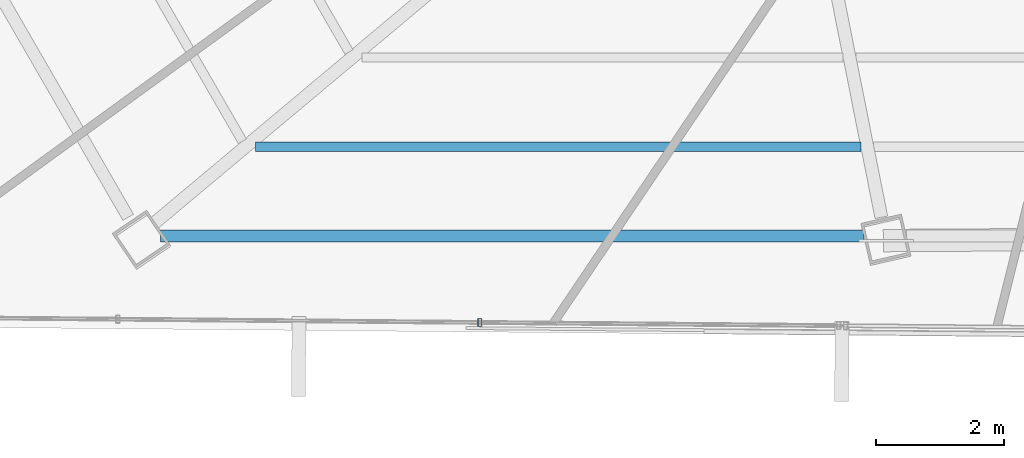
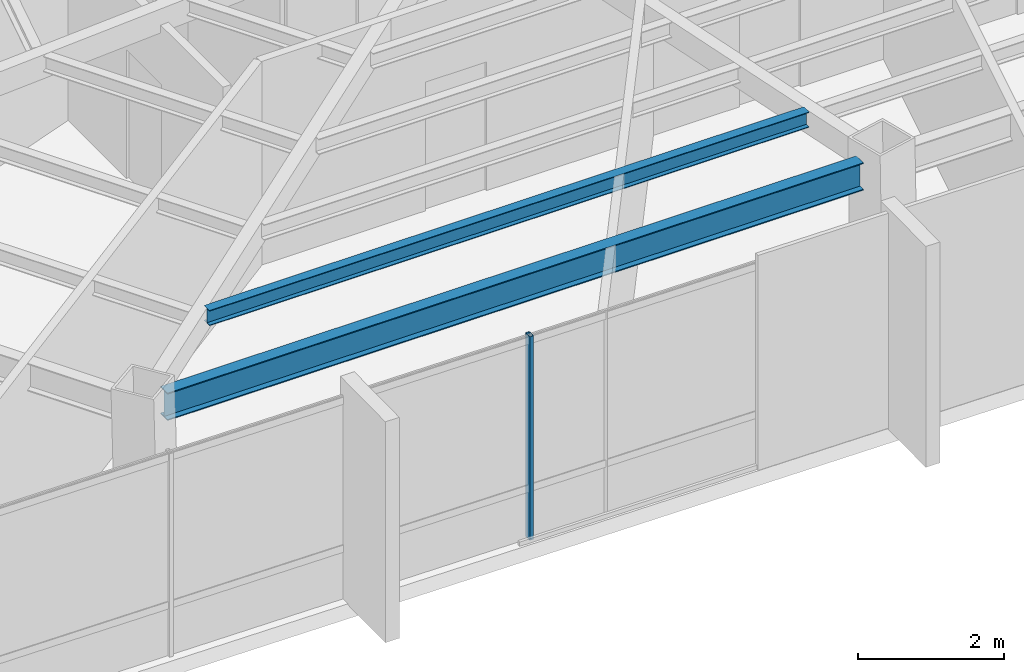
# One storey, part 5 of 46: 2 beams, 1 member, 1 element without a shape of its own.
"""IFC4 building model written with IfcOpenShell, lengths in metres."""

from ifc_helpers import new_model, si_unit, direction, frame, origin, origin_2d, place, context, subcontext, project, spatial, hollow_rectangle, i_section, extrude, source, transform, mapped, material, material_profile, profile_set, type_object, type_shapes, element, aggregate, save


model = new_model("IFC4")

# Units and contexts
model_context = context("Model", 3, precision=1e-05, world=origin(), true_north=direction((0.0, 1.0)))
body_context = subcontext(model_context, "Body", "Model", "MODEL_VIEW")
ifc_project = project(units=[si_unit("LENGTHUNIT", "METRE"), si_unit("AREAUNIT", "SQUARE_METRE"), si_unit("VOLUMEUNIT", "CUBIC_METRE"), si_unit("PLANEANGLEUNIT", "RADIAN"), si_unit("MASSUNIT", "GRAM", prefix="KILO")], contexts=[model_context])

# Site, building, storey
site_placement = place(None, origin())
site = spatial("IfcSite", under=ifc_project, at=site_placement, CompositionType="ELEMENT")
building_placement = place(site_placement, origin())
building = spatial("IfcBuilding", under=site, at=building_placement, Name="Caelisora Broadcast Tower", CompositionType="ELEMENT")
storey_placement = place(building_placement, frame((0.0, 0.0, 237.14990234375)))
storey = spatial("IfcBuildingStorey", under=building, at=storey_placement, Name="L62", CompositionType="ELEMENT", Elevation=237.14990234375)

# Beams
ifc_material_1 = material(Name="Steel Grade 350 (AS/NZS 3679.1)", Category="steel")
ifc_material_profile_1 = material_profile(ifc_material_1, i_section(OverallWidth=0.19091796875, OverallDepth=0.46044921875, WebThickness=0.010009765625, FlangeThickness=0.01611328125, at=origin_2d()), Name="Steel Grade 350 (AS/NZS 3679.1)")
ifc_profile_set_1 = profile_set([ifc_material_profile_1], Name="Steel Grade 350 (AS/NZS 3679.1)")
beam_type_1 = type_object("IfcBeamType", Name="PG06", PredefinedType="BEAM", material=ifc_profile_set_1)
shared_shape_1 = source(origin(), body_context, "Body", "SweptSolid", [
    extrude(i_section(OverallWidth=0.19091796875, OverallDepth=0.46044921875, WebThickness=0.010009765625, FlangeThickness=0.01611328125, at=origin_2d()), origin(), (0.0, 0.0, 1.0), 10.9931640625),
])
type_shapes(beam_type_1, [shared_shape_1])
beam_1_placement = place(storey_placement, frame((20.834228515625, 9.02294921875, 3.169921875), z_axis=(1.0, 0.0, 0.0), x_axis=(0.0, 1.0, 0.0)))
element("IfcBeam", 1, at=beam_1_placement, inside=storey, type_object=beam_type_1, Name="L62 beam PG06", PredefinedType="BEAM", context=body_context, shape_type="MappedRepresentation", body=[
    mapped(shared_shape_1, transform((0.0, 0.0, 0.0), scale=1.0)),
])
ifc_material_profile_2 = material_profile(ifc_material_1, i_section(OverallWidth=0.14599609375, OverallDepth=0.256103515625, WebThickness=0.00634765625, FlangeThickness=0.010986328125, at=origin_2d()), Name="Steel Grade 350 (AS/NZS 3679.1)")
ifc_profile_set_2 = profile_set([ifc_material_profile_2], Name="Steel Grade 350 (AS/NZS 3679.1)")
beam_type_2 = type_object("IfcBeamType", Name="SB04", PredefinedType="JOIST", material=ifc_profile_set_2)
shared_shape_2 = source(origin(), body_context, "Body", "SweptSolid", [
    extrude(i_section(OverallWidth=0.14599609375, OverallDepth=0.256103515625, WebThickness=0.00634765625, FlangeThickness=0.010986328125, at=origin_2d()), origin(), (0.0, 0.0, 1.0), 9.472412109375),
])
type_shapes(beam_type_2, [shared_shape_2])
beam_2_placement = place(storey_placement, frame((22.31640625, 10.419189453125, 3.27197265625), z_axis=(1.0, 0.0, 0.0), x_axis=(0.0, 1.0, 0.0)))
element("IfcBeam", 2, at=beam_2_placement, inside=storey, type_object=beam_type_2, Name="L62 beam SB04", PredefinedType="JOIST", context=body_context, shape_type="MappedRepresentation", body=[
    mapped(shared_shape_2, transform((0.0, 0.0, 0.0), scale=1.0)),
])

# Curtain wall, member
ifc_material_2 = material(Name="Unitised Aluminium and Low-E Glass Curtain Wall", Category="glass")
curtain_wall_type = type_object("IfcCurtainWallType", Name="CW-Z5", PredefinedType="NOTDEFINED", material=ifc_material_2)
curtain_wall_placement = place(storey_placement, origin())
curtain_wall = element("IfcCurtainWall", 3, at=curtain_wall_placement, inside=storey, type_object=curtain_wall_type, Name="L62 curtain wall CW-Z5", PredefinedType="NOTDEFINED")
ifc_material_3 = material(Name="Aluminium 6063-T6 Anodised Terracotta Bronze", Category="aluminium")
ifc_material_profile_3 = material_profile(ifc_material_3, hollow_rectangle(XDim=0.06005859375, YDim=0.1201171875, WallThickness=0.0029296875, at=origin_2d()), Name="Aluminium 6063-T6 Anodised Terracotta Bronze")
ifc_profile_set_3 = profile_set([ifc_material_profile_3], Name="Aluminium 6063-T6 Anodised Terracotta Bronze")
member_type = type_object("IfcMemberType", Name="CWM-04", PredefinedType="MULLION", material=ifc_profile_set_3)
shared_shape_3 = source(origin(), body_context, "Body", "SweptSolid", [
    extrude(hollow_rectangle(XDim=0.06005859375, YDim=0.1201171875, WallThickness=0.0029296875, at=origin_2d()), origin(), (0.0, 0.0, 1.0), 3.400146484375),
])
type_shapes(member_type, [shared_shape_3])
member_placement = place(storey_placement, frame((25.828369140625, 7.6708984375, 0.0), z_axis=(0.0, 0.0, 1.0), x_axis=(1.0, 0.0, 0.0)))
member = element("IfcMember", 4, at=member_placement, type_object=member_type, Name="L62-CW-B07 mullion #1", PredefinedType="MULLION", context=body_context, shape_type="MappedRepresentation", body=[
    mapped(shared_shape_3, transform((0.0, 0.0, 0.0), scale=1.0)),
])
aggregate(curtain_wall, [member])

save(model, "model.ifc")
